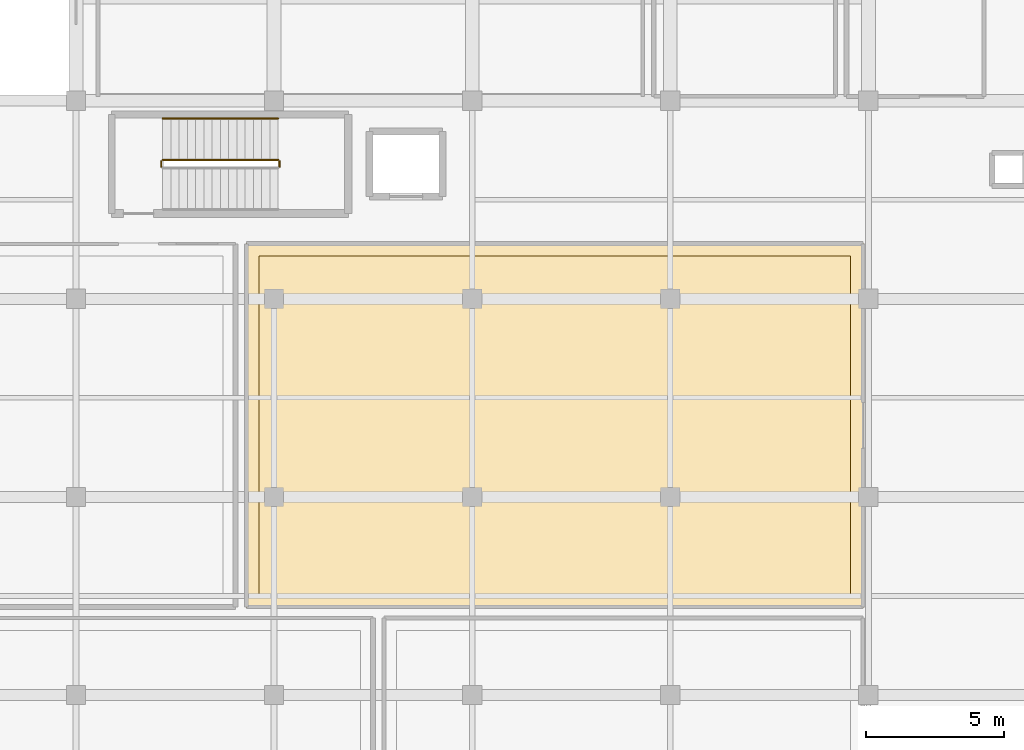
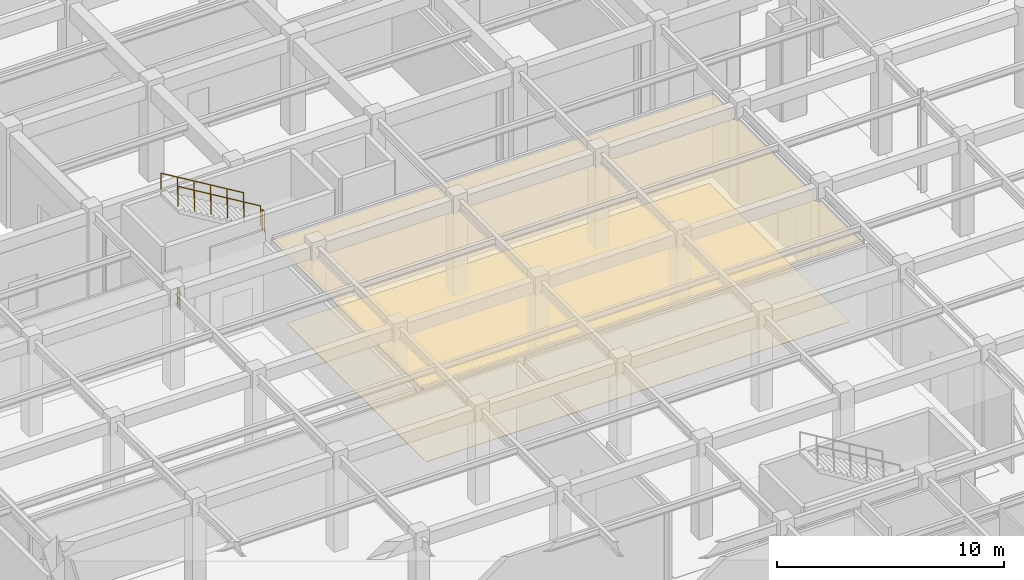
# One storey, part 93 of 102: 4 railings, 2 coverings.
"""IFC4 building model written with IfcOpenShell, lengths in metres."""

from ifc_helpers import new_model, si_unit, direction, frame, origin, origin_2d, place, context, subcontext, project, spatial, polyline, circle, outline, extrude, material, layer, layer_set, type_object, element, save


model = new_model("IFC4")

# Units and contexts
model_context = context("Model", 3, precision=1e-05, world=origin(), true_north=direction((0.0, 1.0)))
body_context = subcontext(model_context, "Body", "Model", "MODEL_VIEW")
ifc_project = project(units=[si_unit("LENGTHUNIT", "METRE"), si_unit("AREAUNIT", "SQUARE_METRE"), si_unit("VOLUMEUNIT", "CUBIC_METRE"), si_unit("PLANEANGLEUNIT", "RADIAN"), si_unit("MASSUNIT", "GRAM", prefix="KILO")], contexts=[model_context])

# Site, building, storey
site_placement = place(None, origin())
site = spatial("IfcSite", under=ifc_project, at=site_placement, CompositionType="ELEMENT")
building_placement = place(site_placement, origin())
building = spatial("IfcBuilding", under=site, at=building_placement, Name="Carrowvane Square Congress Hotel", CompositionType="ELEMENT")
storey_placement = place(building_placement, origin())
storey = spatial("IfcBuildingStorey", under=building, at=storey_placement, Name="L00", CompositionType="ELEMENT", Elevation=0.0)

# Coverings
ifc_material_1 = material(Name="Acoustic gypsum board", Category="gypsum")
ifc_layer_1 = layer(ifc_material_1, 0.02001953125)
ifc_layer_set_1 = layer_set([ifc_layer_1], Name="Acoustic gypsum board")
covering_type_1 = type_object("IfcCoveringType", Name="COV-CLG-AC20", PredefinedType="CEILING", material=ifc_layer_set_1)
covering_1_placement = place(storey_placement, frame((0.0, 0.0, 4.364990234375)))
element("IfcCovering", 1, at=covering_1_placement, inside=storey, type_object=covering_type_1, Name="L00 Spa Female Changing and Lockers acoustic ceiling", PredefinedType="CEILING", context=body_context, shape_type="SweptSolid", body=[
    extrude(outline(polyline([(61.802001953125, 73.380126953125), (61.800048828125, 73.3798828125), (39.39990234375, 73.3798828125), (39.39794921875, 73.380126953125), (39.39599609375, 73.38037109375), (39.394287109375, 73.380859375), (39.392333984375, 73.381591796875), (39.390625, 73.38232421875), (39.388916015625, 73.38330078125), (39.38720703125, 73.384521484375), (39.385986328125, 73.385986328125), (39.384521484375, 73.38720703125), (39.38330078125, 73.388916015625), (39.38232421875, 73.390625), (39.381591796875, 73.392333984375), (39.380859375, 73.394287109375), (39.38037109375, 73.39599609375), (39.380126953125, 73.39794921875), (39.3798828125, 73.39990234375), (39.3798828125, 86.60009765625), (39.380126953125, 86.60205078125), (39.38037109375, 86.60400390625), (39.380859375, 86.605712890625), (39.381591796875, 86.607666015625), (39.38232421875, 86.609375), (39.38330078125, 86.611083984375), (39.384521484375, 86.61279296875), (39.385986328125, 86.614013671875), (39.38720703125, 86.615478515625), (39.388916015625, 86.61669921875), (39.390625, 86.61767578125), (39.392333984375, 86.618408203125), (39.394287109375, 86.619140625), (39.39599609375, 86.61962890625), (39.39794921875, 86.619873046875), (39.39990234375, 86.6201171875), (61.800048828125, 86.6201171875), (61.802001953125, 86.619873046875), (61.803955078125, 86.61962890625), (61.805908203125, 86.619140625), (61.8076171875, 86.618408203125), (61.809326171875, 86.61767578125), (61.81103515625, 86.61669921875), (61.812744140625, 86.615478515625), (61.814208984375, 86.614013671875), (61.8154296875, 86.61279296875), (61.816650390625, 86.611083984375), (61.817626953125, 86.609375), (61.818603515625, 86.607666015625), (61.819091796875, 86.605712890625), (61.819580078125, 86.60400390625), (61.81982421875, 86.60205078125), (61.820068359375, 86.60009765625), (61.820068359375, 84.956787109375), (61.811279296875, 84.952880859375), (61.77783203125, 84.9326171875), (61.74609375, 84.9091796875), (61.71728515625, 84.8828125), (61.69091796875, 84.853759765625), (61.66748046875, 84.822265625), (61.647216796875, 84.78857421875), (61.63037109375, 84.753173828125), (61.6171875, 84.716064453125), (61.607666015625, 84.677978515625), (61.601806640625, 84.63916015625), (61.60009765625, 84.60009765625), (61.601806640625, 84.560791015625), (61.607666015625, 84.52197265625), (61.6171875, 84.48388671875), (61.63037109375, 84.447021484375), (61.647216796875, 84.411376953125), (61.66748046875, 84.377685546875), (61.69091796875, 84.34619140625), (61.71728515625, 84.317138671875), (61.74609375, 84.290771484375), (61.77783203125, 84.267333984375), (61.811279296875, 84.247314453125), (61.820068359375, 84.2431640625), (61.820068359375, 77.7568359375), (61.811279296875, 77.752685546875), (61.77783203125, 77.732666015625), (61.74609375, 77.709228515625), (61.71728515625, 77.682861328125), (61.69091796875, 77.65380859375), (61.66748046875, 77.622314453125), (61.647216796875, 77.588623046875), (61.63037109375, 77.552978515625), (61.6171875, 77.51611328125), (61.607666015625, 77.47802734375), (61.601806640625, 77.439208984375), (61.60009765625, 77.39990234375), (61.601806640625, 77.36083984375), (61.607666015625, 77.322021484375), (61.6171875, 77.283935546875), (61.63037109375, 77.246826171875), (61.647216796875, 77.21142578125), (61.66748046875, 77.177734375), (61.69091796875, 77.146240234375), (61.71728515625, 77.1171875), (61.74609375, 77.0908203125), (61.77783203125, 77.0673828125), (61.811279296875, 77.047119140625), (61.820068359375, 77.043212890625), (61.820068359375, 73.39990234375), (61.81982421875, 73.39794921875), (61.819580078125, 73.39599609375), (61.819091796875, 73.394287109375), (61.818603515625, 73.392333984375), (61.817626953125, 73.390625), (61.816650390625, 73.388916015625), (61.8154296875, 73.38720703125), (61.814208984375, 73.385986328125), (61.812744140625, 73.384521484375), (61.81103515625, 73.38330078125), (61.809326171875, 73.38232421875), (61.8076171875, 73.381591796875), (61.805908203125, 73.380859375), (61.803955078125, 73.38037109375), (61.802001953125, 73.380126953125)])), origin(), (0.0, 0.0, 1.0), 0.02001953125),
])
ifc_material_2 = material(Name="Ceramic porcelain tile", Category="stone")
ifc_layer_2 = layer(ifc_material_2, 0.02197265625)
ifc_layer_set_2 = layer_set([ifc_layer_2], Name="Ceramic porcelain tile")
covering_type_2 = type_object("IfcCoveringType", Name="COV-FLR-TRZ22", PredefinedType="FLOORING", material=ifc_layer_set_2)
covering_2_placement = place(storey_placement, origin())
element("IfcCovering", 2, at=covering_2_placement, inside=storey, type_object=covering_type_2, Name="L00 Spa Female Changing and Lockers floor finish", PredefinedType="FLOORING", context=body_context, shape_type="SweptSolid", body=[
    extrude(outline(polyline([(39.85009765625, 73.85009765625), (39.85009765625, 77.39990234375), (39.85009765625, 84.60009765625), (39.85009765625, 86.14990234375), (61.35009765625, 86.14990234375), (61.35009765625, 73.85009765625), (39.85009765625, 73.85009765625)])), origin(), (0.0, 0.0, 1.0), 0.02197265625),
])

# Railings
ifc_material_3 = material(Name="Stainless steel 316", Category="steel")
ifc_layer_3 = layer(ifc_material_3, 0.048095703125)
ifc_layer_set_3 = layer_set([ifc_layer_3], Name="Stainless steel 316")
railing_type_1 = type_object("IfcRailingType", Name="RLG-HR-900", PredefinedType="HANDRAIL", material=ifc_layer_set_3)
railing_1_placement = place(storey_placement, frame((40.550048828125, 91.14990234375, 2.8798828125)))
element("IfcRailing", 3, at=railing_1_placement, inside=storey, type_object=railing_type_1, Name="L00 ST5 stair handrail 2", PredefinedType="HANDRAIL", context=body_context, shape_type="SweptSolid", body=[
    extrude(circle(Radius=0.02392578125, at=origin_2d()), frame((0.0, 0.0, 0.8759765625), z_axis=(-0.857488527567, 0.0, 0.514503085598), x_axis=(0.0, -1.0, 0.0)), (0.0, 0.0, 1.0), 4.89794921875),
    extrude(circle(Radius=0.02099609375, at=origin_2d()), origin(), (0.0, 0.0, 1.0), 0.851806640625),
    extrude(circle(Radius=0.02099609375, at=origin_2d()), frame((-0.840087890625, 0.0, 0.50390625)), (0.0, 0.0, 1.0), 0.851806640625),
    extrude(circle(Radius=0.02099609375, at=origin_2d()), frame((-1.679931640625, 0.0, 1.008056640625)), (0.0, 0.0, 1.0), 0.851806640625),
    extrude(circle(Radius=0.02099609375, at=origin_2d()), frame((-2.52001953125, 0.0, 1.511962890625)), (0.0, 0.0, 1.0), 0.851806640625),
    extrude(circle(Radius=0.02099609375, at=origin_2d()), frame((-3.35986328125, 0.0, 2.01611328125)), (0.0, 0.0, 1.0), 0.851806640625),
    extrude(circle(Radius=0.02099609375, at=origin_2d()), frame((-4.199951171875, 0.0, 2.52001953125)), (0.0, 0.0, 1.0), 0.851806640625),
])
ifc_material_4 = material(Name="Galvanised steel", Category="steel")
ifc_layer_4 = layer(ifc_material_4, 0.048095703125)
ifc_layer_set_4 = layer_set([ifc_layer_4], Name="Galvanised steel")
railing_type_2 = type_object("IfcRailingType", Name="RLG-STG-1100", PredefinedType="GUARDRAIL", material=ifc_layer_set_4)
railing_2_placement = place(storey_placement, frame((40.60009765625, 89.39990234375, 2.699951171875)))
element("IfcRailing", 4, at=railing_2_placement, inside=storey, type_object=railing_type_2, Name="L00 ST5 stair guard 2", PredefinedType="GUARDRAIL", context=body_context, shape_type="SweptSolid", body=[
    extrude(circle(Radius=0.02392578125, at=origin_2d()), frame((0.0, 0.0, 1.076171875), z_axis=(0.0, 1.0, 0.0), x_axis=(-1.0, 0.0, 0.0)), (0.0, 0.0, 1.0), 0.2001953125),
    extrude(circle(Radius=0.02099609375, at=origin_2d()), origin(), (0.0, 0.0, 1.0), 1.052001953125),
    extrude(circle(Radius=0.02099609375, at=origin_2d()), frame((0.0, 0.2001953125, 0.0)), (0.0, 0.0, 1.0), 1.052001953125),
])
railing_3_placement = place(storey_placement, frame((40.550048828125, 89.64990234375, 2.8798828125)))
element("IfcRailing", 5, at=railing_3_placement, inside=storey, type_object=railing_type_2, Name="L00 ST5 stair guard 3", PredefinedType="GUARDRAIL", context=body_context, shape_type="SweptSolid", body=[
    extrude(circle(Radius=0.02392578125, at=origin_2d()), frame((0.0, 0.0, 1.076171875), z_axis=(-0.857488527567, 0.0, 0.514503085598), x_axis=(0.0, -1.0, 0.0)), (0.0, 0.0, 1.0), 4.89794921875),
    extrude(circle(Radius=0.02099609375, at=origin_2d()), origin(), (0.0, 0.0, 1.0), 1.052001953125),
    extrude(circle(Radius=0.02099609375, at=origin_2d()), frame((-0.840087890625, 0.0, 0.50390625)), (0.0, 0.0, 1.0), 1.052001953125),
    extrude(circle(Radius=0.02099609375, at=origin_2d()), frame((-1.679931640625, 0.0, 1.008056640625)), (0.0, 0.0, 1.0), 1.052001953125),
    extrude(circle(Radius=0.02099609375, at=origin_2d()), frame((-2.52001953125, 0.0, 1.511962890625)), (0.0, 0.0, 1.0), 1.052001953125),
    extrude(circle(Radius=0.02099609375, at=origin_2d()), frame((-3.35986328125, 0.0, 2.01611328125)), (0.0, 0.0, 1.0), 1.052001953125),
    extrude(circle(Radius=0.02099609375, at=origin_2d()), frame((-4.199951171875, 0.0, 2.52001953125)), (0.0, 0.0, 1.0), 1.052001953125),
])
railing_4_placement = place(storey_placement, frame((36.300048828125, 89.39990234375, 0.0)))
element("IfcRailing", 6, at=railing_4_placement, inside=storey, type_object=railing_type_2, Name="L00 ST5 stair guard 4", PredefinedType="GUARDRAIL", context=body_context, shape_type="SweptSolid", body=[
    extrude(circle(Radius=0.02392578125, at=origin_2d()), frame((0.0, 0.0, 1.076171875), z_axis=(0.0, 1.0, 0.0), x_axis=(-1.0, 0.0, 0.0)), (0.0, 0.0, 1.0), 0.2001953125),
    extrude(circle(Radius=0.02099609375, at=origin_2d()), origin(), (0.0, 0.0, 1.0), 1.052001953125),
    extrude(circle(Radius=0.02099609375, at=origin_2d()), frame((0.0, 0.2001953125, 0.0)), (0.0, 0.0, 1.0), 1.052001953125),
])

save(model, "model.ifc")
